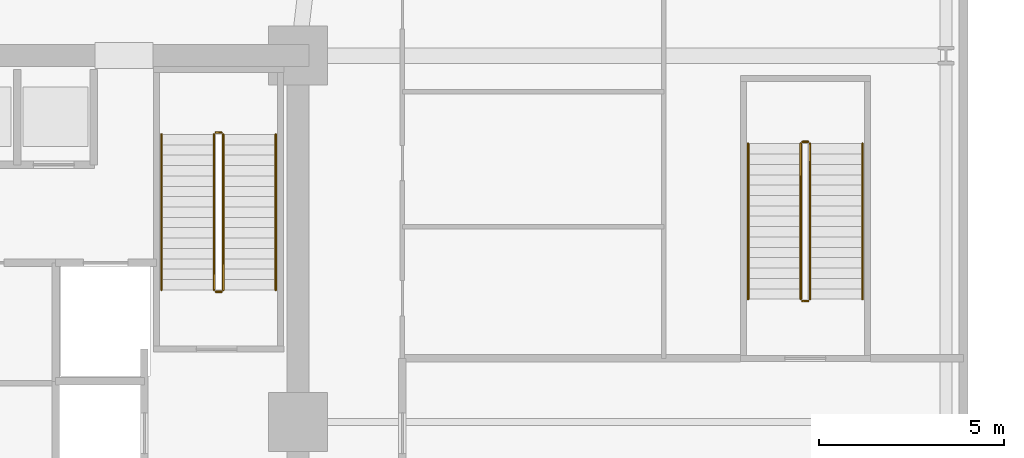
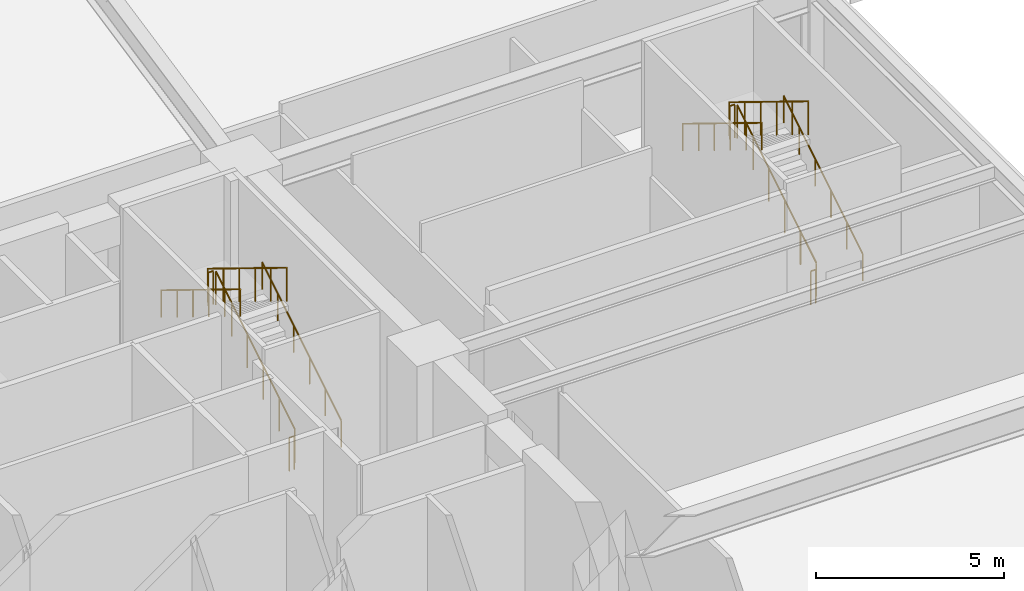
# One storey, part 23 of 24: 12 railings.
"""IFC4 building model written with IfcOpenShell, lengths in metres."""

from ifc_helpers import new_model, si_unit, direction, frame, origin, origin_2d, place, context, subcontext, project, spatial, circle, extrude, material, type_object, element, save


model = new_model("IFC4")

# Units and contexts
model_context = context("Model", 3, precision=1e-05, world=origin(), true_north=direction((0.0, 1.0)))
body_context = subcontext(model_context, "Body", "Model", "MODEL_VIEW")
ifc_project = project(units=[si_unit("LENGTHUNIT", "METRE"), si_unit("AREAUNIT", "SQUARE_METRE"), si_unit("VOLUMEUNIT", "CUBIC_METRE"), si_unit("PLANEANGLEUNIT", "RADIAN"), si_unit("MASSUNIT", "GRAM", prefix="KILO")], contexts=[model_context])

# Site, building, storey
site_placement = place(None, origin())
site = spatial("IfcSite", under=ifc_project, at=site_placement, CompositionType="ELEMENT")
building_placement = place(site_placement, origin())
building = spatial("IfcBuilding", under=site, at=building_placement, Name="Kolvaren Belvedere", CompositionType="ELEMENT")
storey_placement = place(building_placement, origin())
storey = spatial("IfcBuildingStorey", under=building, at=storey_placement, Name="L01", CompositionType="ELEMENT", Elevation=0.0)

# Railings
ifc_material_1 = material(Name="Brushed stainless-steel handrail", Category="steel")
railing_type_1 = type_object("IfcRailingType", Name="RL-HANDRAIL-920", PredefinedType="HANDRAIL", material=ifc_material_1)
railing_1_placement = place(storey_placement, frame((9.300048828125, 3.570068359375, 0.171875)))
element("IfcRailing", 1, at=railing_1_placement, inside=storey, type_object=railing_type_1, Name="L01 ST-2 stair handrail 1", PredefinedType="HANDRAIL", context=body_context, shape_type="SweptSolid", body=[
    extrude(circle(Radius=0.02392578125, at=origin_2d()), frame((0.0, 0.0, 0.8759765625), z_axis=(0.0, 0.852242915053, 0.523146264196), x_axis=(-1.0, 0.0, 0.0)), (0.0, 0.0, 1.0), 4.92822265625),
    extrude(circle(Radius=0.02099609375, at=origin_2d()), origin(), (0.0, 0.0, 1.0), 0.851806640625),
    extrude(circle(Radius=0.02099609375, at=origin_2d()), frame((0.0, 0.840087890625, 0.515625)), (0.0, 0.0, 1.0), 0.851806640625),
    extrude(circle(Radius=0.02099609375, at=origin_2d()), frame((0.0, 1.679931640625, 1.03125)), (0.0, 0.0, 1.0), 0.851806640625),
    extrude(circle(Radius=0.02099609375, at=origin_2d()), frame((0.0, 2.52001953125, 1.546875)), (0.0, 0.0, 1.0), 0.851806640625),
    extrude(circle(Radius=0.02099609375, at=origin_2d()), frame((0.0, 3.35986328125, 2.0625)), (0.0, 0.0, 1.0), 0.851806640625),
    extrude(circle(Radius=0.02099609375, at=origin_2d()), frame((0.0, 4.199951171875, 2.578125)), (0.0, 0.0, 1.0), 0.851806640625),
])
railing_2_placement = place(storey_placement, frame((6.2099609375, 7.77001953125, 2.921875)))
element("IfcRailing", 2, at=railing_2_placement, inside=storey, type_object=railing_type_1, Name="L01 ST-2 stair handrail 2", PredefinedType="HANDRAIL", context=body_context, shape_type="SweptSolid", body=[
    extrude(circle(Radius=0.02392578125, at=origin_2d()), frame((0.0, 0.0, 0.8759765625), z_axis=(0.0, -0.852242915053, 0.523146264196), x_axis=(1.0, 0.0, 0.0)), (0.0, 0.0, 1.0), 4.92822265625),
    extrude(circle(Radius=0.02099609375, at=origin_2d()), origin(), (0.0, 0.0, 1.0), 0.851806640625),
    extrude(circle(Radius=0.02099609375, at=origin_2d()), frame((0.0, -0.840087890625, 0.515625)), (0.0, 0.0, 1.0), 0.851806640625),
    extrude(circle(Radius=0.02099609375, at=origin_2d()), frame((0.0, -1.679931640625, 1.03125)), (0.0, 0.0, 1.0), 0.851806640625),
    extrude(circle(Radius=0.02099609375, at=origin_2d()), frame((0.0, -2.52001953125, 1.546875)), (0.0, 0.0, 1.0), 0.851806640625),
    extrude(circle(Radius=0.02099609375, at=origin_2d()), frame((0.0, -3.35986328125, 2.0625)), (0.0, 0.0, 1.0), 0.851806640625),
    extrude(circle(Radius=0.02099609375, at=origin_2d()), frame((0.0, -4.199951171875, 2.578125)), (0.0, 0.0, 1.0), 0.851806640625),
])
railing_3_placement = place(storey_placement, frame((25.14990234375, 3.320068359375, 0.171875)))
element("IfcRailing", 3, at=railing_3_placement, inside=storey, type_object=railing_type_1, Name="L01 ST-P2 stair handrail 1", PredefinedType="HANDRAIL", context=body_context, shape_type="SweptSolid", body=[
    extrude(circle(Radius=0.02392578125, at=origin_2d()), frame((0.0, 0.0, 0.8759765625), z_axis=(0.0, 0.852242915053, 0.523146264196), x_axis=(-1.0, 0.0, 0.0)), (0.0, 0.0, 1.0), 4.92822265625),
    extrude(circle(Radius=0.02099609375, at=origin_2d()), origin(), (0.0, 0.0, 1.0), 0.851806640625),
    extrude(circle(Radius=0.02099609375, at=origin_2d()), frame((0.0, 0.840087890625, 0.515625)), (0.0, 0.0, 1.0), 0.851806640625),
    extrude(circle(Radius=0.02099609375, at=origin_2d()), frame((0.0, 1.679931640625, 1.03125)), (0.0, 0.0, 1.0), 0.851806640625),
    extrude(circle(Radius=0.02099609375, at=origin_2d()), frame((0.0, 2.52001953125, 1.546875)), (0.0, 0.0, 1.0), 0.851806640625),
    extrude(circle(Radius=0.02099609375, at=origin_2d()), frame((0.0, 3.35986328125, 2.0625)), (0.0, 0.0, 1.0), 0.851806640625),
    extrude(circle(Radius=0.02099609375, at=origin_2d()), frame((0.0, 4.199951171875, 2.578125)), (0.0, 0.0, 1.0), 0.851806640625),
])
railing_4_placement = place(storey_placement, frame((22.06005859375, 7.52001953125, 2.921875)))
element("IfcRailing", 4, at=railing_4_placement, inside=storey, type_object=railing_type_1, Name="L01 ST-P2 stair handrail 2", PredefinedType="HANDRAIL", context=body_context, shape_type="SweptSolid", body=[
    extrude(circle(Radius=0.02392578125, at=origin_2d()), frame((0.0, 0.0, 0.8759765625), z_axis=(0.0, -0.852242915053, 0.523146264196), x_axis=(1.0, 0.0, 0.0)), (0.0, 0.0, 1.0), 4.92822265625),
    extrude(circle(Radius=0.02099609375, at=origin_2d()), origin(), (0.0, 0.0, 1.0), 0.851806640625),
    extrude(circle(Radius=0.02099609375, at=origin_2d()), frame((0.0, -0.840087890625, 0.515625)), (0.0, 0.0, 1.0), 0.851806640625),
    extrude(circle(Radius=0.02099609375, at=origin_2d()), frame((0.0, -1.679931640625, 1.03125)), (0.0, 0.0, 1.0), 0.851806640625),
    extrude(circle(Radius=0.02099609375, at=origin_2d()), frame((0.0, -2.52001953125, 1.546875)), (0.0, 0.0, 1.0), 0.851806640625),
    extrude(circle(Radius=0.02099609375, at=origin_2d()), frame((0.0, -3.35986328125, 2.0625)), (0.0, 0.0, 1.0), 0.851806640625),
    extrude(circle(Radius=0.02099609375, at=origin_2d()), frame((0.0, -4.199951171875, 2.578125)), (0.0, 0.0, 1.0), 0.851806640625),
])
ifc_material_2 = material(Name="Painted tubular steel stair guard", Category="steel")
railing_type_2 = type_object("IfcRailingType", Name="RL-STGUARD-1100", PredefinedType="GUARDRAIL", material=ifc_material_2)
railing_5_placement = place(storey_placement, frame((7.8798828125, 3.570068359375, 0.171875)))
element("IfcRailing", 5, at=railing_5_placement, inside=storey, type_object=railing_type_2, Name="L01 ST-2 stair guard 1", PredefinedType="GUARDRAIL", context=body_context, shape_type="SweptSolid", body=[
    extrude(circle(Radius=0.02392578125, at=origin_2d()), frame((0.0, 0.0, 1.076171875), z_axis=(0.0, 0.852242915053, 0.523146264196), x_axis=(-1.0, 0.0, 0.0)), (0.0, 0.0, 1.0), 4.92822265625),
    extrude(circle(Radius=0.02099609375, at=origin_2d()), origin(), (0.0, 0.0, 1.0), 1.052001953125),
    extrude(circle(Radius=0.02099609375, at=origin_2d()), frame((0.0, 0.840087890625, 0.515625)), (0.0, 0.0, 1.0), 1.052001953125),
    extrude(circle(Radius=0.02099609375, at=origin_2d()), frame((0.0, 1.679931640625, 1.03125)), (0.0, 0.0, 1.0), 1.052001953125),
    extrude(circle(Radius=0.02099609375, at=origin_2d()), frame((0.0, 2.52001953125, 1.546875)), (0.0, 0.0, 1.0), 1.052001953125),
    extrude(circle(Radius=0.02099609375, at=origin_2d()), frame((0.0, 3.35986328125, 2.0625)), (0.0, 0.0, 1.0), 1.052001953125),
    extrude(circle(Radius=0.02099609375, at=origin_2d()), frame((0.0, 4.199951171875, 2.578125)), (0.0, 0.0, 1.0), 1.052001953125),
])
railing_6_placement = place(storey_placement, frame((7.830078125, 7.820068359375, 2.75)))
element("IfcRailing", 6, at=railing_6_placement, inside=storey, type_object=railing_type_2, Name="L01 ST-2 stair guard 2", PredefinedType="GUARDRAIL", context=body_context, shape_type="SweptSolid", body=[
    extrude(circle(Radius=0.02392578125, at=origin_2d()), frame((0.0, 0.0, 1.076171875), z_axis=(-1.0, 0.0, 0.0), x_axis=(0.0, -1.0, 0.0)), (0.0, 0.0, 1.0), 0.150146484375),
    extrude(circle(Radius=0.02099609375, at=origin_2d()), origin(), (0.0, 0.0, 1.0), 1.052001953125),
    extrude(circle(Radius=0.02099609375, at=origin_2d()), frame((-0.150146484375, 0.0, 0.0)), (0.0, 0.0, 1.0), 1.052001953125),
])
railing_7_placement = place(storey_placement, frame((7.6298828125, 7.77001953125, 2.921875)))
element("IfcRailing", 7, at=railing_7_placement, inside=storey, type_object=railing_type_2, Name="L01 ST-2 stair guard 3", PredefinedType="GUARDRAIL", context=body_context, shape_type="SweptSolid", body=[
    extrude(circle(Radius=0.02392578125, at=origin_2d()), frame((0.0, 0.0, 1.076171875), z_axis=(0.0, -0.852242915053, 0.523146264196), x_axis=(1.0, 0.0, 0.0)), (0.0, 0.0, 1.0), 4.92822265625),
    extrude(circle(Radius=0.02099609375, at=origin_2d()), origin(), (0.0, 0.0, 1.0), 1.052001953125),
    extrude(circle(Radius=0.02099609375, at=origin_2d()), frame((0.0, -0.840087890625, 0.515625)), (0.0, 0.0, 1.0), 1.052001953125),
    extrude(circle(Radius=0.02099609375, at=origin_2d()), frame((0.0, -1.679931640625, 1.03125)), (0.0, 0.0, 1.0), 1.052001953125),
    extrude(circle(Radius=0.02099609375, at=origin_2d()), frame((0.0, -2.52001953125, 1.546875)), (0.0, 0.0, 1.0), 1.052001953125),
    extrude(circle(Radius=0.02099609375, at=origin_2d()), frame((0.0, -3.35986328125, 2.0625)), (0.0, 0.0, 1.0), 1.052001953125),
    extrude(circle(Radius=0.02099609375, at=origin_2d()), frame((0.0, -4.199951171875, 2.578125)), (0.0, 0.0, 1.0), 1.052001953125),
])
railing_8_placement = place(storey_placement, frame((7.830078125, 3.52001953125, 0.0)))
element("IfcRailing", 8, at=railing_8_placement, inside=storey, type_object=railing_type_2, Name="L01 ST-2 stair guard 4", PredefinedType="GUARDRAIL", context=body_context, shape_type="SweptSolid", body=[
    extrude(circle(Radius=0.02392578125, at=origin_2d()), frame((0.0, 0.0, 1.076171875), z_axis=(-1.0, 0.0, 0.0), x_axis=(0.0, -1.0, 0.0)), (0.0, 0.0, 1.0), 0.150146484375),
    extrude(circle(Radius=0.02099609375, at=origin_2d()), origin(), (0.0, 0.0, 1.0), 1.052001953125),
    extrude(circle(Radius=0.02099609375, at=origin_2d()), frame((-0.150146484375, 0.0, 0.0)), (0.0, 0.0, 1.0), 1.052001953125),
])
railing_9_placement = place(storey_placement, frame((23.72998046875, 3.320068359375, 0.171875)))
element("IfcRailing", 9, at=railing_9_placement, inside=storey, type_object=railing_type_2, Name="L01 ST-P2 stair guard 1", PredefinedType="GUARDRAIL", context=body_context, shape_type="SweptSolid", body=[
    extrude(circle(Radius=0.02392578125, at=origin_2d()), frame((0.0, 0.0, 1.076171875), z_axis=(0.0, 0.852242915053, 0.523146264196), x_axis=(-1.0, 0.0, 0.0)), (0.0, 0.0, 1.0), 4.92822265625),
    extrude(circle(Radius=0.02099609375, at=origin_2d()), origin(), (0.0, 0.0, 1.0), 1.052001953125),
    extrude(circle(Radius=0.02099609375, at=origin_2d()), frame((0.0, 0.840087890625, 0.515625)), (0.0, 0.0, 1.0), 1.052001953125),
    extrude(circle(Radius=0.02099609375, at=origin_2d()), frame((0.0, 1.679931640625, 1.03125)), (0.0, 0.0, 1.0), 1.052001953125),
    extrude(circle(Radius=0.02099609375, at=origin_2d()), frame((0.0, 2.52001953125, 1.546875)), (0.0, 0.0, 1.0), 1.052001953125),
    extrude(circle(Radius=0.02099609375, at=origin_2d()), frame((0.0, 3.35986328125, 2.0625)), (0.0, 0.0, 1.0), 1.052001953125),
    extrude(circle(Radius=0.02099609375, at=origin_2d()), frame((0.0, 4.199951171875, 2.578125)), (0.0, 0.0, 1.0), 1.052001953125),
])
railing_10_placement = place(storey_placement, frame((23.679931640625, 7.570068359375, 2.75)))
element("IfcRailing", 10, at=railing_10_placement, inside=storey, type_object=railing_type_2, Name="L01 ST-P2 stair guard 2", PredefinedType="GUARDRAIL", context=body_context, shape_type="SweptSolid", body=[
    extrude(circle(Radius=0.02392578125, at=origin_2d()), frame((0.0, 0.0, 1.076171875), z_axis=(-1.0, 0.0, 0.0), x_axis=(0.0, -1.0, 0.0)), (0.0, 0.0, 1.0), 0.14990234375),
    extrude(circle(Radius=0.02099609375, at=origin_2d()), origin(), (0.0, 0.0, 1.0), 1.052001953125),
    extrude(circle(Radius=0.02099609375, at=origin_2d()), frame((-0.14990234375, 0.0, 0.0)), (0.0, 0.0, 1.0), 1.052001953125),
])
railing_11_placement = place(storey_placement, frame((23.47998046875, 7.52001953125, 2.921875)))
element("IfcRailing", 11, at=railing_11_placement, inside=storey, type_object=railing_type_2, Name="L01 ST-P2 stair guard 3", PredefinedType="GUARDRAIL", context=body_context, shape_type="SweptSolid", body=[
    extrude(circle(Radius=0.02392578125, at=origin_2d()), frame((0.0, 0.0, 1.076171875), z_axis=(0.0, -0.852242915053, 0.523146264196), x_axis=(1.0, 0.0, 0.0)), (0.0, 0.0, 1.0), 4.92822265625),
    extrude(circle(Radius=0.02099609375, at=origin_2d()), origin(), (0.0, 0.0, 1.0), 1.052001953125),
    extrude(circle(Radius=0.02099609375, at=origin_2d()), frame((0.0, -0.840087890625, 0.515625)), (0.0, 0.0, 1.0), 1.052001953125),
    extrude(circle(Radius=0.02099609375, at=origin_2d()), frame((0.0, -1.679931640625, 1.03125)), (0.0, 0.0, 1.0), 1.052001953125),
    extrude(circle(Radius=0.02099609375, at=origin_2d()), frame((0.0, -2.52001953125, 1.546875)), (0.0, 0.0, 1.0), 1.052001953125),
    extrude(circle(Radius=0.02099609375, at=origin_2d()), frame((0.0, -3.35986328125, 2.0625)), (0.0, 0.0, 1.0), 1.052001953125),
    extrude(circle(Radius=0.02099609375, at=origin_2d()), frame((0.0, -4.199951171875, 2.578125)), (0.0, 0.0, 1.0), 1.052001953125),
])
railing_12_placement = place(storey_placement, frame((23.679931640625, 3.27001953125, 0.0)))
element("IfcRailing", 12, at=railing_12_placement, inside=storey, type_object=railing_type_2, Name="L01 ST-P2 stair guard 4", PredefinedType="GUARDRAIL", context=body_context, shape_type="SweptSolid", body=[
    extrude(circle(Radius=0.02392578125, at=origin_2d()), frame((0.0, 0.0, 1.076171875), z_axis=(-1.0, 0.0, 0.0), x_axis=(0.0, -1.0, 0.0)), (0.0, 0.0, 1.0), 0.14990234375),
    extrude(circle(Radius=0.02099609375, at=origin_2d()), origin(), (0.0, 0.0, 1.0), 1.052001953125),
    extrude(circle(Radius=0.02099609375, at=origin_2d()), frame((-0.14990234375, 0.0, 0.0)), (0.0, 0.0, 1.0), 1.052001953125),
])

save(model, "model.ifc")
